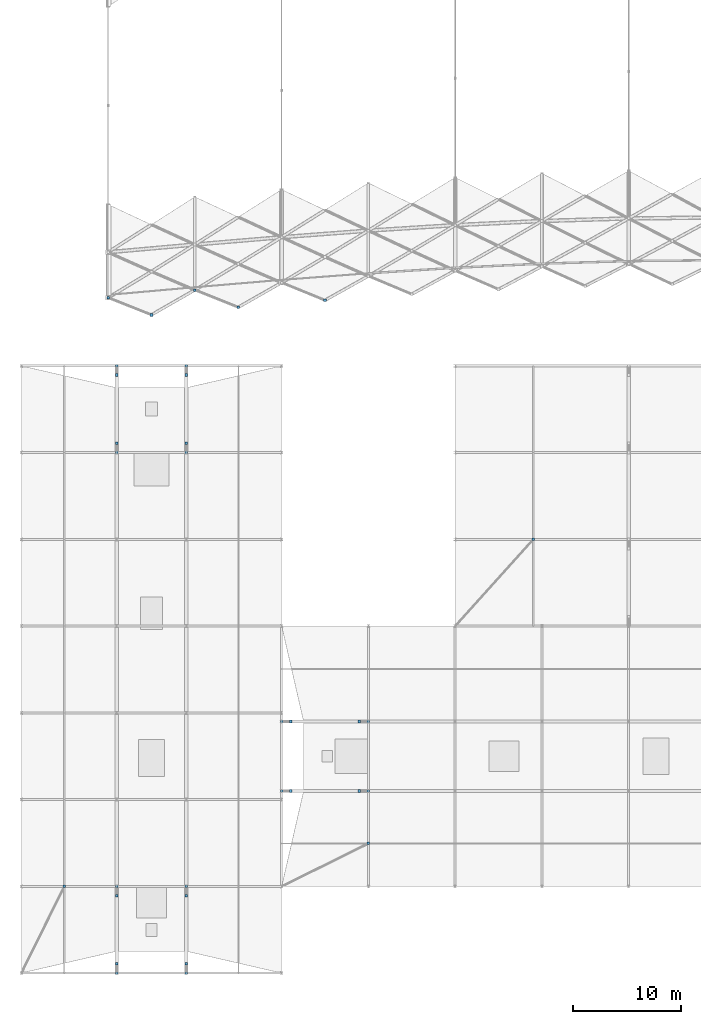
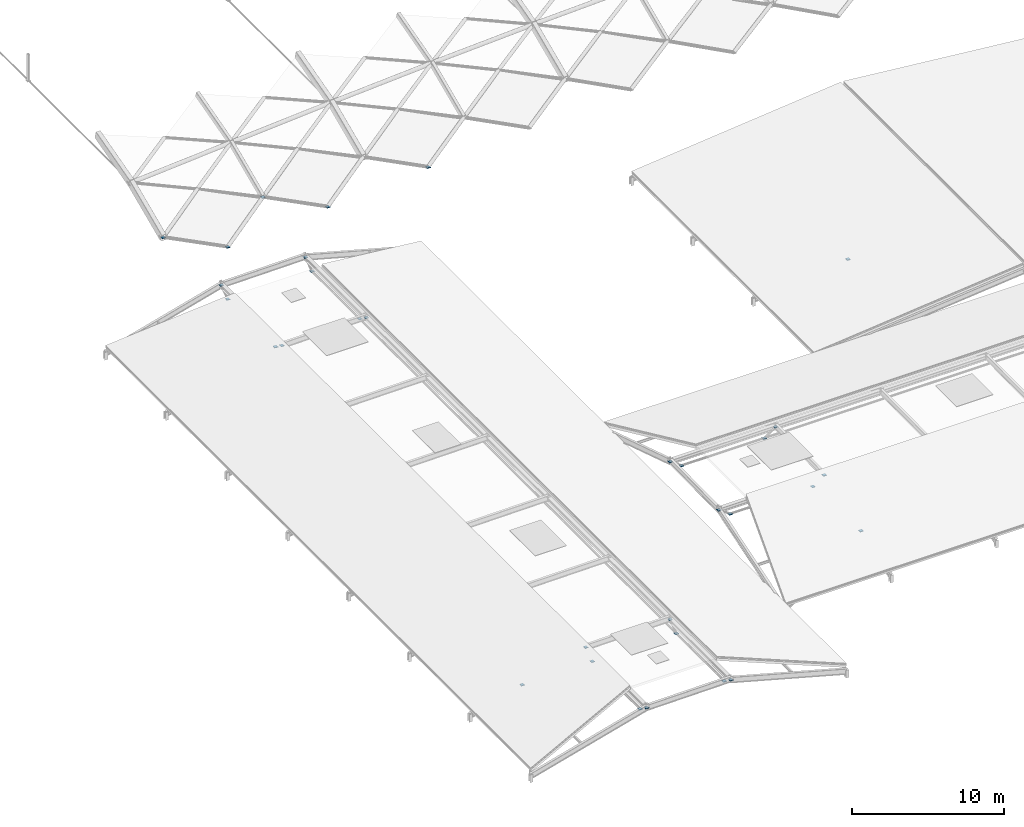
# One storey, part 42 of 54: 32 discrete accessories.
"""IFC4 building model written with IfcOpenShell, lengths in metres."""

from ifc_helpers import new_model, si_unit, direction, frame, origin, origin_2d, place, context, subcontext, project, spatial, rectangle, extrude, material, type_object, element, save


model = new_model("IFC4")

# Units and contexts
model_context = context("Model", 3, precision=1e-05, world=origin(), true_north=direction((0.0, 1.0)))
body_context = subcontext(model_context, "Body", "Model", "MODEL_VIEW")
ifc_project = project(units=[si_unit("LENGTHUNIT", "METRE"), si_unit("AREAUNIT", "SQUARE_METRE"), si_unit("VOLUMEUNIT", "CUBIC_METRE"), si_unit("PLANEANGLEUNIT", "RADIAN"), si_unit("MASSUNIT", "GRAM", prefix="KILO")], contexts=[model_context])

# Site, building, storey
site_placement = place(None, origin())
site = spatial("IfcSite", under=ifc_project, at=site_placement, CompositionType="ELEMENT")
building_placement = place(site_placement, origin())
building = spatial("IfcBuilding", under=site, at=building_placement, Name="Kenh Van Central Station", CompositionType="ELEMENT")
storey_placement = place(building_placement, frame((0.0, 0.0, 15.0)))
storey = spatial("IfcBuildingStorey", under=building, at=storey_placement, Name="L03", CompositionType="ELEMENT", Elevation=15.0)

# Discrete accessories
ifc_material_1 = material(Name="Structural steel S355JR", Category="steel")
discrete_accessory_type_1 = type_object("IfcDiscreteAccessoryType", Name="ACC-END-NODE", PredefinedType="BRACKET", material=ifc_material_1)
for number, where, z_axis, x_axis, name in (
    (1, (56.0, 19.9599609375, 0.745849609375), (0.0, 0.0, 1.0), (1.0, 0.0, 0.0), "L03 brace end connection node plate 0323"),
    (2, (48.85009765625, 24.800048828125, 1.665771484375), (0.0, 0.0, 1.0), (1.0, 0.0, 0.0), "L03 brace end connection node plate 0324"),
    (3, (48.0, 24.800048828125, 2.285888671875), (0.0, 0.0, 1.0), (1.0, 0.0, 0.0), "L03 brace end connection node plate 0326"),
    (4, (55.14990234375, 24.800048828125, 1.665771484375), (0.0, 0.0, 1.0), (1.0, 0.0, 0.0), "L03 brace end connection node plate 0327"),
    (5, (56.0, 24.800048828125, 2.285888671875), (0.0, 0.0, 1.0), (1.0, 0.0, 0.0), "L03 brace end connection node plate 0328"),
    (6, (48.85009765625, 31.199951171875, 1.665771484375), (0.0, 0.0, 1.0), (1.0, 0.0, 0.0), "L03 brace end connection node plate 0332"),
    (7, (48.0, 31.199951171875, 2.285888671875), (0.0, 0.0, 1.0), (1.0, 0.0, 0.0), "L03 brace end connection node plate 0334"),
    (8, (55.14990234375, 31.199951171875, 1.665771484375), (0.0, 0.0, 1.0), (1.0, 0.0, 0.0), "L03 brace end connection node plate 0335"),
    (9, (56.0, 31.199951171875, 2.285888671875), (0.0, 0.0, 1.0), (1.0, 0.0, 0.0), "L03 brace end connection node plate 0336"),
    (10, (71.199951171875, 48.0, 0.240478515625), (0.0, 0.0, 1.0), (1.0, 0.0, 0.0), "L03 brace end connection node plate 0341"),
    (11, (27.9599609375, 16.0, 0.587158203125), (0.0, 0.0, 1.0), (1.0, 0.0, 0.0), "L03 brace end connection node plate 0351"),
    (12, (32.800048828125, 8.85009765625, 1.287109375), (0.0, 0.0, 1.0), (1.0, 0.0, 0.0), "L03 brace end connection node plate 0352"),
    (13, (32.800048828125, 63.14990234375, 1.287109375), (0.0, 0.0, 1.0), (1.0, 0.0, 0.0), "L03 brace end connection node plate 0353"),
    (14, (32.800048828125, 8.0, 1.906982421875), (0.0, 0.0, 1.0), (1.0, 0.0, 0.0), "L03 brace end connection node plate 0354"),
    (15, (32.800048828125, 15.14990234375, 1.287109375), (0.0, 0.0, 1.0), (1.0, 0.0, 0.0), "L03 brace end connection node plate 0355"),
    (16, (32.800048828125, 16.0, 1.906982421875), (0.0, 0.0, 1.0), (1.0, 0.0, 0.0), "L03 brace end connection node plate 0356"),
    (17, (32.800048828125, 56.85009765625, 1.287109375), (0.0, 0.0, 1.0), (1.0, 0.0, 0.0), "L03 brace end connection node plate 0357"),
    (18, (32.800048828125, 56.0, 1.906982421875), (0.0, 0.0, 1.0), (1.0, 0.0, 0.0), "L03 brace end connection node plate 0358"),
    (19, (32.800048828125, 64.0, 1.906982421875), (0.0, 0.0, 1.0), (1.0, 0.0, 0.0), "L03 brace end connection node plate 0359"),
    (20, (39.199951171875, 8.85009765625, 1.287109375), (0.0, 0.0, 1.0), (1.0, 0.0, 0.0), "L03 brace end connection node plate 0360"),
    (21, (39.199951171875, 63.14990234375, 1.287109375), (0.0, 0.0, 1.0), (1.0, 0.0, 0.0), "L03 brace end connection node plate 0361"),
    (22, (39.199951171875, 8.0, 1.906982421875), (0.0, 0.0, 1.0), (1.0, 0.0, 0.0), "L03 brace end connection node plate 0362"),
    (23, (39.199951171875, 15.14990234375, 1.287109375), (0.0, 0.0, 1.0), (1.0, 0.0, 0.0), "L03 brace end connection node plate 0363"),
    (24, (39.199951171875, 16.0, 1.906982421875), (0.0, 0.0, 1.0), (1.0, 0.0, 0.0), "L03 brace end connection node plate 0364"),
    (25, (39.199951171875, 56.85009765625, 1.287109375), (0.0, 0.0, 1.0), (1.0, 0.0, 0.0), "L03 brace end connection node plate 0365"),
    (26, (39.199951171875, 56.0, 1.906982421875), (0.0, 0.0, 1.0), (1.0, 0.0, 0.0), "L03 brace end connection node plate 0366"),
    (27, (39.199951171875, 64.0, 1.906982421875), (0.0, 0.0, 1.0), (1.0, 0.0, 0.0), "L03 brace end connection node plate 0367"),
):
    element("IfcDiscreteAccessory", number, at=place(storey_placement, frame(where, z_axis=z_axis, x_axis=x_axis)), inside=storey, type_object=discrete_accessory_type_1, Name=name, PredefinedType="BRACKET", context=body_context, shape_type="SweptSolid", body=[
        extrude(rectangle(XDim=0.239990234375, YDim=0.239990234375, at=origin_2d()), origin(), (0.0, 0.0, 1.0), 0.02490234375),
    ])
ifc_material_2 = material(Name="White fluoropolymer structural steel S355", Category="steel")
discrete_accessory_type_2 = type_object("IfcDiscreteAccessoryType", Name="ACC-END-NODE-VLT", PredefinedType="BRACKET", material=ifc_material_2)
for number, where, z_axis, x_axis, name in (
    (28, (32.0, 70.269287109375, 2.216064453125), (0.0, 0.0, 1.0), (1.0, 0.0, 0.0), "L03 brace end connection node plate 0001"),
    (29, (36.0, 68.682373046875, 1.0029296875), (0.0, 0.0, 1.0), (1.0, 0.0, 0.0), "L03 brace end connection node plate 0002"),
    (30, (40.0, 70.9814453125, 2.216064453125), (0.0, 0.0, 1.0), (1.0, 0.0, 0.0), "L03 brace end connection node plate 0022"),
    (31, (44.0, 69.381103515625, 1.0029296875), (0.0, 0.0, 1.0), (1.0, 0.0, 0.0), "L03 brace end connection node plate 0031"),
    (32, (52.0, 70.026611328125, 1.0029296875), (0.0, 0.0, 1.0), (1.0, 0.0, 0.0), "L03 brace end connection node plate 0052"),
):
    element("IfcDiscreteAccessory", number, at=place(storey_placement, frame(where, z_axis=z_axis, x_axis=x_axis)), inside=storey, type_object=discrete_accessory_type_2, Name=name, PredefinedType="BRACKET", context=body_context, shape_type="SweptSolid", body=[
        extrude(rectangle(XDim=0.239990234375, YDim=0.239990234375, at=origin_2d()), origin(), (0.0, 0.0, 1.0), 0.02490234375),
    ])

save(model, "model.ifc")
